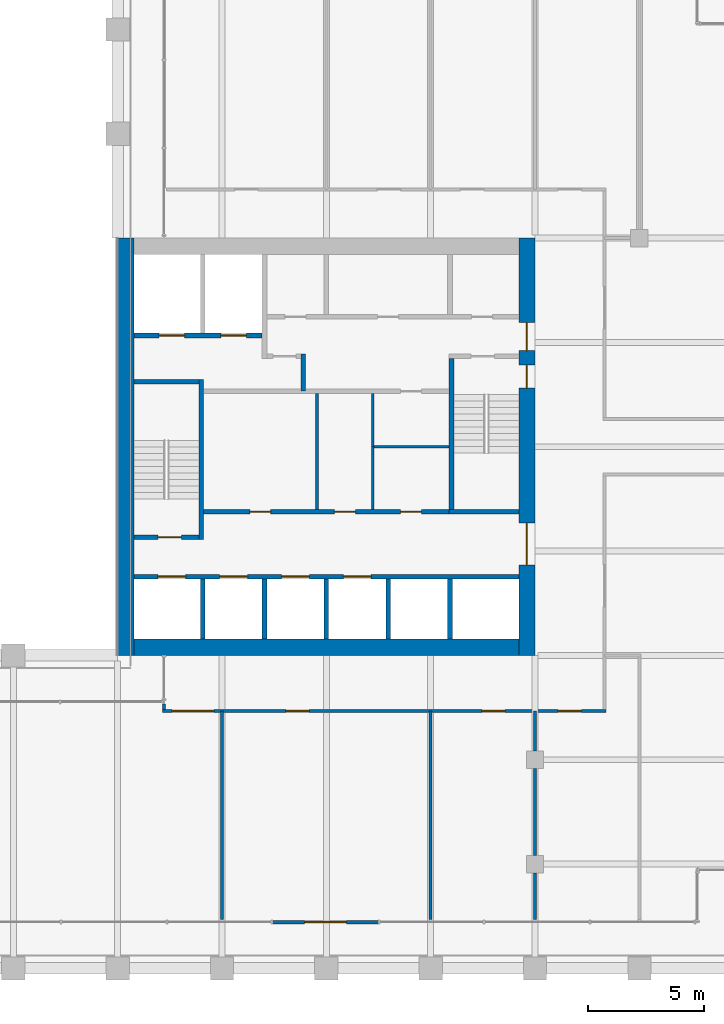
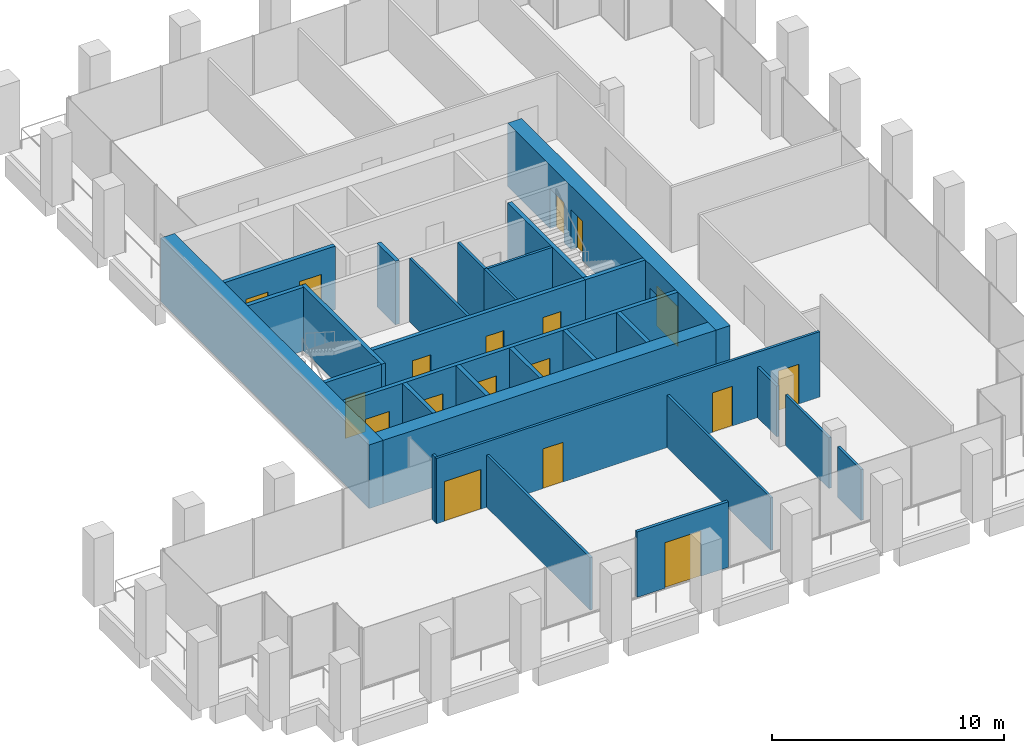
# One storey, part 41 of 46: 29 walls, 18 doors, 18 openings.
"""IFC4 building model written with IfcOpenShell, lengths in metres."""

from ifc_helpers import new_model, si_unit, direction, frame, frame_2d, origin, place, context, subcontext, project, spatial, rectangle, extrude, material, layer, layer_set, type_object, element, fill, save


model = new_model("IFC4")

# Units and contexts
model_context = context("Model", 3, precision=1e-05, world=origin(), true_north=direction((0.0, 1.0)))
body_context = subcontext(model_context, "Body", "Model", "MODEL_VIEW")
ifc_project = project(units=[si_unit("LENGTHUNIT", "METRE"), si_unit("AREAUNIT", "SQUARE_METRE"), si_unit("VOLUMEUNIT", "CUBIC_METRE"), si_unit("PLANEANGLEUNIT", "RADIAN"), si_unit("MASSUNIT", "GRAM", prefix="KILO")], contexts=[model_context])

# Site, building, storey
site_placement = place(None, origin())
site = spatial("IfcSite", under=ifc_project, at=site_placement, CompositionType="ELEMENT")
building_placement = place(site_placement, origin())
building = spatial("IfcBuilding", under=site, at=building_placement, Name="Altepetl Exchange Towers", CompositionType="ELEMENT")
storey_placement = place(building_placement, frame((0.0, 0.0, 128.0)))
storey = spatial("IfcBuildingStorey", under=building, at=storey_placement, Name="L31", CompositionType="ELEMENT", Elevation=128.0)

# Wall, openings, doors
ifc_material_1 = material(Name="Concrete C70/85", Category="concrete")
ifc_layer_1 = layer(ifc_material_1, 0.699951171875)
ifc_layer_set_1 = layer_set([ifc_layer_1], Name="Concrete C70/85")
wall_type_1 = type_object("IfcWallType", Name="Core wall 700 reinforced concrete", PredefinedType="SHEAR", material=ifc_layer_set_1)
wall_1_placement = place(storey_placement, frame((58.14990234375, 40.5, 0.0), z_axis=(0.0, 0.0, 1.0), x_axis=(0.0, 1.0, 0.0)))
wall_1 = element("IfcWall", 1, at=wall_1_placement, inside=storey, type_object=wall_type_1, Name="wall:A:L31:K-coreE", PredefinedType="SHEAR", context=body_context, shape_type="SweptSolid", body=[
    extrude(rectangle(XDim=18.0, YDim=0.699951171875, at=frame_2d((9.0, 0.0))), origin(), (0.0, 0.0, 1.0), 3.35009765625),
])
opening_1_placement = place(wall_1_placement, frame((13.14990234375, 0.0, 0.0)))
opening_1 = element("IfcOpeningElement", 2, at=opening_1_placement, cuts=wall_1, Name="Opening L31.A60", PredefinedType="OPENING", context=body_context, shape_type="SweptSolid", body=[
    extrude(rectangle(XDim=1.199951171875, YDim=2.10009765625, at=frame_2d((0.60009765625, 1.050048828125))), frame((0.0, 0.35986328125, 0.0), z_axis=(0.0, -1.0, 0.0), x_axis=(1.0, 0.0, 0.0)), (0.0, 0.0, 1.0), 0.719970703125),
])
opening_2_placement = place(wall_1_placement, frame((3.89990234375, 0.0, 0.0)))
opening_2 = element("IfcOpeningElement", 3, at=opening_2_placement, cuts=wall_1, Name="Opening L31.A61", PredefinedType="OPENING", context=body_context, shape_type="SweptSolid", body=[
    extrude(rectangle(XDim=1.800048828125, YDim=2.10009765625, at=frame_2d((0.89990234375, 1.050048828125))), frame((0.0, 0.35986328125, 0.0), z_axis=(0.0, -1.0, 0.0), x_axis=(1.0, 0.0, 0.0)), (0.0, 0.0, 1.0), 0.719970703125),
])
opening_3_placement = place(wall_1_placement, frame((11.52490234375, 0.0, 0.0)))
opening_3 = element("IfcOpeningElement", 4, at=opening_3_placement, cuts=wall_1, Name="Opening L31.A64", PredefinedType="OPENING", context=body_context, shape_type="SweptSolid", body=[
    extrude(rectangle(XDim=1.0, YDim=2.10009765625, at=frame_2d((0.5, 1.050048828125))), frame((0.0, 0.35986328125, 0.0), z_axis=(0.0, -1.0, 0.0), x_axis=(1.0, 0.0, 0.0)), (0.0, 0.0, 1.0), 0.719970703125),
])
ifc_material_2 = material(Name="Steel and timber fire door", Category="steel")
door_type_1 = type_object("IfcDoorType", Name="Fire door 1000 x 2100 stair and lobby", OperationType="SINGLE_SWING_LEFT", PredefinedType="DOOR", material=ifc_material_2)
door_1_placement = place(opening_3_placement, origin())
door_1 = element("IfcDoor", 5, at=door_1_placement, inside=storey, type_object=door_type_1, Name="door:A:L31:K-dS2x", OperationType="SINGLE_SWING_RIGHT", OverallHeight=2.10009765625, OverallWidth=1.0, PredefinedType="DOOR", context=body_context, shape_type="SweptSolid", body=[
    extrude(rectangle(XDim=1.0, YDim=2.10009765625, at=frame_2d((0.5, 1.050048828125))), frame((0.0, 0.02490234375, 0.0), z_axis=(0.0, -1.0, 0.0), x_axis=(1.0, 0.0, 0.0)), (0.0, 0.0, 1.0), 0.050048828125),
])
fill(opening_3, door_1)
door_type_2 = type_object("IfcDoorType", Name="Fire door 1200 x 2100 lobby entry", OperationType="SINGLE_SWING_LEFT", PredefinedType="DOOR", material=ifc_material_2)
door_2_placement = place(opening_1_placement, origin())
door_2 = element("IfcDoor", 6, at=door_2_placement, inside=storey, type_object=door_type_2, Name="door:A:L31:K-dLNE", OperationType="SINGLE_SWING_RIGHT", OverallHeight=2.10009765625, OverallWidth=1.199951171875, PredefinedType="DOOR", context=body_context, shape_type="SweptSolid", body=[
    extrude(rectangle(XDim=1.199951171875, YDim=2.10009765625, at=frame_2d((0.60009765625, 1.050048828125))), frame((0.0, 0.02490234375, 0.0), z_axis=(0.0, -1.0, 0.0), x_axis=(1.0, 0.0, 0.0)), (0.0, 0.0, 1.0), 0.050048828125),
])
fill(opening_1, door_2)
door_type_3 = type_object("IfcDoorType", Name="Fire door 1800 x 2100 lobby entry", OperationType="DOUBLE_DOOR_SINGLE_SWING", PredefinedType="DOOR", material=ifc_material_2)
door_3_placement = place(opening_2_placement, origin())
door_3 = element("IfcDoor", 7, at=door_3_placement, inside=storey, type_object=door_type_3, Name="door:A:L31:K-dLSE", OperationType="DOUBLE_DOOR_SINGLE_SWING", OverallHeight=2.10009765625, OverallWidth=1.800048828125, PredefinedType="DOOR", context=body_context, shape_type="SweptSolid", body=[
    extrude(rectangle(XDim=1.800048828125, YDim=2.10009765625, at=frame_2d((0.89990234375, 1.050048828125))), frame((0.0, 0.02490234375, 0.0), z_axis=(0.0, -1.0, 0.0), x_axis=(1.0, 0.0, 0.0)), (0.0, 0.0, 1.0), 0.050048828125),
])
fill(opening_2, door_3)

# Walls
wall_2_placement = place(storey_placement, frame((41.199951171875, 40.85009765625, 0.0)))
element("IfcWall", 8, at=wall_2_placement, inside=storey, type_object=wall_type_1, Name="wall:A:L31:K-coreS", PredefinedType="SHEAR", context=body_context, shape_type="SweptSolid", body=[
    extrude(rectangle(XDim=16.60009765625, YDim=0.699951171875, at=frame_2d((8.300048828125, 0.0))), origin(), (0.0, 0.0, 1.0), 3.35009765625),
])
ifc_layer_2 = layer(ifc_material_1, 0.699951171875)
ifc_layer_set_2 = layer_set([ifc_layer_2], Name="Concrete C70/85")
wall_type_2 = type_object("IfcWallType", Name="Core wall 700 reinforced concrete external", PredefinedType="SHEAR", material=ifc_layer_set_2)
wall_3_placement = place(storey_placement, frame((40.85009765625, 40.5, 0.0), z_axis=(0.0, 0.0, 1.0), x_axis=(0.0, 1.0, 0.0)))
element("IfcWall", 9, at=wall_3_placement, inside=storey, type_object=wall_type_2, Name="wall:A:L31:K-coreW", PredefinedType="SHEAR", context=body_context, shape_type="SweptSolid", body=[
    extrude(rectangle(XDim=18.0, YDim=0.699951171875, at=frame_2d((9.0, 0.0))), origin(), (0.0, 0.0, 1.0), 3.35009765625),
])

# Wall, opening, door
ifc_material_3 = material(Name="Aluminium composite cladding", Category="aluminium")
ifc_layer_3 = layer(ifc_material_3, 0.14990234375)
ifc_layer_set_3 = layer_set([ifc_layer_3], Name="Aluminium composite cladding")
wall_type_3 = type_object("IfcWallType", Name="Infill wall 150 aluminium panel", PredefinedType="SOLIDWALL", material=ifc_layer_set_3)
wall_4_placement = place(storey_placement, frame((47.18212890625, 29.0, 0.0)))
wall_4 = element("IfcWall", 10, at=wall_4_placement, inside=storey, type_object=wall_type_3, Name="Loggia door bay wall", PredefinedType="SOLIDWALL", context=body_context, shape_type="SweptSolid", body=[
    extrude(rectangle(XDim=4.560791015625, YDim=0.14990234375, at=frame_2d((2.2802734375, 0.0))), origin(), (0.0, 0.0, 1.0), 3.449951171875),
])
opening_4_placement = place(wall_4_placement, frame((1.38037109375, 0.0, 0.0)))
opening_4 = element("IfcOpeningElement", 11, at=opening_4_placement, cuts=wall_4, Name="Opening L31.A90", PredefinedType="OPENING", context=body_context, shape_type="SweptSolid", body=[
    extrude(rectangle(XDim=1.800048828125, YDim=2.39990234375, at=frame_2d((0.89990234375, 1.199951171875))), frame((0.0, 0.0849609375, 0.0), z_axis=(0.0, -1.0, 0.0), x_axis=(1.0, 0.0, 0.0)), (0.0, 0.0, 1.0), 0.169921875),
])
ifc_material_4 = material(Name="Aluminium 6063-T6 and glass", Category="aluminium")
door_type_4 = type_object("IfcDoorType", Name="Glazed door pair 1800x2400", OperationType="DOUBLE_DOOR_DOUBLE_SWING", PredefinedType="NOTDEFINED", material=ifc_material_4)
door_4_placement = place(opening_4_placement, frame((1.800048828125, 0.0, 0.0), x_axis=(-1.0, 0.0, 0.0)))
door_4 = element("IfcDoor", 12, at=door_4_placement, inside=storey, type_object=door_type_4, Name="Loggia door", OperationType="DOUBLE_DOOR_DOUBLE_SWING", OverallHeight=2.39990234375, OverallWidth=1.800048828125, PredefinedType="NOTDEFINED", context=body_context, shape_type="SweptSolid", body=[
    extrude(rectangle(XDim=1.800048828125, YDim=2.39990234375, at=frame_2d((0.89990234375, 1.199951171875))), frame((0.0, 0.02490234375, 0.0), z_axis=(0.0, -1.0, 0.0), x_axis=(1.0, 0.0, 0.0)), (0.0, 0.0, 1.0), 0.050048828125),
])
fill(opening_4, door_4)

# Wall
ifc_material_5 = material(Name="Concrete blockwork", Category="masonry")
ifc_layer_4 = layer(ifc_material_5, 0.199951171875)
ifc_layer_set_4 = layer_set([ifc_layer_4], Name="Concrete blockwork")
wall_type_4 = type_object("IfcWallType", Name="Lobby wall 200 blockwork", PredefinedType="PARTITIONING", material=ifc_layer_set_4)
wall_5_placement = place(storey_placement, frame((48.5, 51.89990234375, 0.0), z_axis=(0.0, 0.0, 1.0), x_axis=(0.0, 1.0, 0.0)))
element("IfcWall", 13, at=wall_5_placement, inside=storey, type_object=wall_type_4, Name="wall:A:L31:K-ffE", PredefinedType="PARTITIONING", context=body_context, shape_type="SweptSolid", body=[
    extrude(rectangle(XDim=1.60009765625, YDim=0.199951171875, at=frame_2d((0.800048828125, 0.0))), origin(), (0.0, 0.0, 1.0), 3.35009765625),
])

# Wall, openings, doors
wall_6_placement = place(storey_placement, frame((44.199951171875, 46.699951171875, 0.0)))
wall_6 = element("IfcWall", 14, at=wall_6_placement, inside=storey, type_object=wall_type_4, Name="wall:A:L31:K-zoneS", PredefinedType="PARTITIONING", context=body_context, shape_type="SweptSolid", body=[
    extrude(rectangle(XDim=10.60009765625, YDim=0.199951171875, at=frame_2d((5.300048828125, 0.0))), origin(), (0.0, 0.0, 1.0), 3.35009765625),
])
opening_5_placement = place(wall_6_placement, frame((2.0, 0.0, 0.0)))
opening_5 = element("IfcOpeningElement", 15, at=opening_5_placement, cuts=wall_6, Name="Opening L31.A69", PredefinedType="OPENING", context=body_context, shape_type="SweptSolid", body=[
    extrude(rectangle(XDim=0.89990234375, YDim=2.10009765625, at=frame_2d((0.449951171875, 1.050048828125))), frame((0.0, 0.10986328125, 0.0), z_axis=(0.0, -1.0, 0.0), x_axis=(1.0, 0.0, 0.0)), (0.0, 0.0, 1.0), 0.219970703125),
])
opening_6_placement = place(wall_6_placement, frame((5.64990234375, 0.0, 0.0)))
opening_6 = element("IfcOpeningElement", 16, at=opening_6_placement, cuts=wall_6, Name="Opening L31.A70", PredefinedType="OPENING", context=body_context, shape_type="SweptSolid", body=[
    extrude(rectangle(XDim=0.89990234375, YDim=2.10009765625, at=frame_2d((0.449951171875, 1.050048828125))), frame((0.0, 0.10986328125, 0.0), z_axis=(0.0, -1.0, 0.0), x_axis=(1.0, 0.0, 0.0)), (0.0, 0.0, 1.0), 0.219970703125),
])
opening_7_placement = place(wall_6_placement, frame((8.5, 0.0, 0.0)))
opening_7 = element("IfcOpeningElement", 17, at=opening_7_placement, cuts=wall_6, Name="Opening L31.A72", PredefinedType="OPENING", context=body_context, shape_type="SweptSolid", body=[
    extrude(rectangle(XDim=0.89990234375, YDim=2.10009765625, at=frame_2d((0.449951171875, 1.050048828125))), frame((0.0, 0.10986328125, 0.0), z_axis=(0.0, -1.0, 0.0), x_axis=(1.0, 0.0, 0.0)), (0.0, 0.0, 1.0), 0.219970703125),
])
door_type_5 = type_object("IfcDoorType", Name="Fire door 900 x 2100 service room", OperationType="SINGLE_SWING_LEFT", PredefinedType="DOOR", material=ifc_material_2)
door_5_placement = place(opening_5_placement, origin())
door_5 = element("IfcDoor", 18, at=door_5_placement, inside=storey, type_object=door_type_5, Name="door:A:L31:K-dz1", OperationType="SINGLE_SWING_LEFT", OverallHeight=2.10009765625, OverallWidth=0.89990234375, PredefinedType="DOOR", context=body_context, shape_type="SweptSolid", body=[
    extrude(rectangle(XDim=0.89990234375, YDim=2.10009765625, at=frame_2d((0.449951171875, 1.050048828125))), frame((0.0, 0.02490234375, 0.0), z_axis=(0.0, -1.0, 0.0), x_axis=(1.0, 0.0, 0.0)), (0.0, 0.0, 1.0), 0.050048828125),
])
fill(opening_5, door_5)
door_6_placement = place(opening_6_placement, origin())
door_6 = element("IfcDoor", 19, at=door_6_placement, inside=storey, type_object=door_type_5, Name="door:A:L31:K-dz2", OperationType="SINGLE_SWING_RIGHT", OverallHeight=2.10009765625, OverallWidth=0.89990234375, PredefinedType="DOOR", context=body_context, shape_type="SweptSolid", body=[
    extrude(rectangle(XDim=0.89990234375, YDim=2.10009765625, at=frame_2d((0.449951171875, 1.050048828125))), frame((0.0, 0.02490234375, 0.0), z_axis=(0.0, -1.0, 0.0), x_axis=(1.0, 0.0, 0.0)), (0.0, 0.0, 1.0), 0.050048828125),
])
fill(opening_6, door_6)
door_7_placement = place(opening_7_placement, origin())
door_7 = element("IfcDoor", 20, at=door_7_placement, inside=storey, type_object=door_type_5, Name="door:A:L31:K-dz4", OperationType="SINGLE_SWING_RIGHT", OverallHeight=2.10009765625, OverallWidth=0.89990234375, PredefinedType="DOOR", context=body_context, shape_type="SweptSolid", body=[
    extrude(rectangle(XDim=0.89990234375, YDim=2.10009765625, at=frame_2d((0.449951171875, 1.050048828125))), frame((0.0, 0.02490234375, 0.0), z_axis=(0.0, -1.0, 0.0), x_axis=(1.0, 0.0, 0.0)), (0.0, 0.0, 1.0), 0.050048828125),
])
fill(opening_7, door_7)

# Walls
ifc_material_6 = material(Name="Gypsum board on steel studs", Category="steel")
ifc_layer_5 = layer(ifc_material_6, 0.125)
ifc_layer_set_5 = layer_set([ifc_layer_5], Name="Gypsum board on steel studs")
wall_type_5 = type_object("IfcWallType", Name="Partition 125 gypsum board on steel studs", PredefinedType="PARTITIONING", material=ifc_layer_set_5)
wall_7_placement = place(storey_placement, frame((49.10009765625, 46.800048828125, 0.0), z_axis=(0.0, 0.0, 1.0), x_axis=(0.0, 1.0, 0.0)))
element("IfcWall", 21, at=wall_7_placement, inside=storey, type_object=wall_type_5, Name="wall:A:L31:K-zp1", PredefinedType="PARTITIONING", context=body_context, shape_type="SweptSolid", body=[
    extrude(rectangle(XDim=5.0, YDim=0.125, at=frame_2d((2.5, 0.0))), origin(), (0.0, 0.0, 1.0), 3.35009765625),
])
wall_8_placement = place(storey_placement, frame((51.5, 46.800048828125, 0.0), z_axis=(0.0, 0.0, 1.0), x_axis=(0.0, 1.0, 0.0)))
element("IfcWall", 22, at=wall_8_placement, inside=storey, type_object=wall_type_5, Name="wall:A:L31:K-zp2", PredefinedType="PARTITIONING", context=body_context, shape_type="SweptSolid", body=[
    extrude(rectangle(XDim=2.762451171875, YDim=0.125, at=frame_2d((1.38134765625, 0.0))), origin(), (0.0, 0.0, 1.0), 3.35009765625),
])
wall_9_placement = place(storey_placement, frame((51.5625, 49.5, 0.0)))
element("IfcWall", 23, at=wall_9_placement, inside=storey, type_object=wall_type_5, Name="wall:A:L31:K-zp3", PredefinedType="PARTITIONING", context=body_context, shape_type="SweptSolid", body=[
    extrude(rectangle(XDim=3.237548828125, YDim=0.125, at=frame_2d((1.61865234375, 0.0))), origin(), (0.0, 0.0, 1.0), 3.35009765625),
])
wall_10_placement = place(storey_placement, frame((51.5, 49.5, 0.0), z_axis=(0.0, 0.0, 1.0), x_axis=(0.0, 1.0, 0.0)))
element("IfcWall", 24, at=wall_10_placement, inside=storey, type_object=wall_type_5, Name="wall:A:L31:K-zp4", PredefinedType="PARTITIONING", context=body_context, shape_type="SweptSolid", body=[
    extrude(rectangle(XDim=2.300048828125, YDim=0.125, at=frame_2d((1.14990234375, 0.0))), origin(), (0.0, 0.0, 1.0), 3.35009765625),
])

# Wall, openings, doors
wall_11_placement = place(storey_placement, frame((42.4375, 38.10009765625, 0.0)))
wall_11 = element("IfcWall", 25, at=wall_11_placement, inside=storey, type_object=wall_type_5, Name="wall:A:L31:P01", PredefinedType="PARTITIONING", context=body_context, shape_type="SweptSolid", body=[
    extrude(rectangle(XDim=19.125, YDim=0.125, at=frame_2d((9.5625, 0.0))), origin(), (0.0, 0.0, 1.0), 3.449951171875),
])
opening_8_placement = place(wall_11_placement, frame((0.41259765625, 0.0, 0.0)))
opening_8 = element("IfcOpeningElement", 26, at=opening_8_placement, cuts=wall_11, Name="Opening L31.A01", PredefinedType="OPENING", context=body_context, shape_type="SweptSolid", body=[
    extrude(rectangle(XDim=1.800048828125, YDim=2.10009765625, at=frame_2d((0.89990234375, 1.050048828125))), frame((0.0, 0.072509765625, 0.0), z_axis=(0.0, -1.0, 0.0), x_axis=(1.0, 0.0, 0.0)), (0.0, 0.0, 1.0), 0.14501953125),
])
opening_9_placement = place(wall_11_placement, frame((5.320556640625, 0.0, 0.0)))
opening_9 = element("IfcOpeningElement", 27, at=opening_9_placement, cuts=wall_11, Name="Opening L31.A02", PredefinedType="OPENING", context=body_context, shape_type="SweptSolid", body=[
    extrude(rectangle(XDim=1.0, YDim=2.10009765625, at=frame_2d((0.5, 1.050048828125))), frame((0.0, 0.072509765625, 0.0), z_axis=(0.0, -1.0, 0.0), x_axis=(1.0, 0.0, 0.0)), (0.0, 0.0, 1.0), 0.14501953125),
])
opening_10_placement = place(wall_11_placement, frame((13.767578125, 0.0, 0.0)))
opening_10 = element("IfcOpeningElement", 28, at=opening_10_placement, cuts=wall_11, Name="Opening L31.A03", PredefinedType="OPENING", context=body_context, shape_type="SweptSolid", body=[
    extrude(rectangle(XDim=1.0, YDim=2.10009765625, at=frame_2d((0.5, 1.050048828125))), frame((0.0, 0.072509765625, 0.0), z_axis=(0.0, -1.0, 0.0), x_axis=(1.0, 0.0, 0.0)), (0.0, 0.0, 1.0), 0.14501953125),
])
opening_11_placement = place(wall_11_placement, frame((17.0625, 0.0, 0.0)))
opening_11 = element("IfcOpeningElement", 29, at=opening_11_placement, cuts=wall_11, Name="Opening L31.A04", PredefinedType="OPENING", context=body_context, shape_type="SweptSolid", body=[
    extrude(rectangle(XDim=1.0, YDim=2.10009765625, at=frame_2d((0.5, 1.050048828125))), frame((0.0, 0.072509765625, 0.0), z_axis=(0.0, -1.0, 0.0), x_axis=(1.0, 0.0, 0.0)), (0.0, 0.0, 1.0), 0.14501953125),
])
door_type_6 = type_object("IfcDoorType", Name="Fire door 1000 x 2100 single leaf", OperationType="SINGLE_SWING_LEFT", PredefinedType="DOOR", material=ifc_material_2)
door_8_placement = place(opening_9_placement, frame((1.0, 0.0, 0.0), x_axis=(-1.0, 0.0, 0.0)))
door_8 = element("IfcDoor", 30, at=door_8_placement, inside=storey, type_object=door_type_6, Name="door:A:L31:02", OperationType="SINGLE_SWING_RIGHT", OverallHeight=2.10009765625, OverallWidth=1.0, PredefinedType="DOOR", context=body_context, shape_type="SweptSolid", body=[
    extrude(rectangle(XDim=1.0, YDim=2.10009765625, at=frame_2d((0.5, 1.050048828125))), frame((0.0, 0.02490234375, 0.0), z_axis=(0.0, -1.0, 0.0), x_axis=(1.0, 0.0, 0.0)), (0.0, 0.0, 1.0), 0.050048828125),
])
fill(opening_9, door_8)
door_9_placement = place(opening_10_placement, frame((1.0, 0.0, 0.0), x_axis=(-1.0, 0.0, 0.0)))
door_9 = element("IfcDoor", 31, at=door_9_placement, inside=storey, type_object=door_type_6, Name="door:A:L31:03", OperationType="SINGLE_SWING_LEFT", OverallHeight=2.10009765625, OverallWidth=1.0, PredefinedType="DOOR", context=body_context, shape_type="SweptSolid", body=[
    extrude(rectangle(XDim=1.0, YDim=2.10009765625, at=frame_2d((0.5, 1.050048828125))), frame((0.0, 0.02490234375, 0.0), z_axis=(0.0, -1.0, 0.0), x_axis=(1.0, 0.0, 0.0)), (0.0, 0.0, 1.0), 0.050048828125),
])
fill(opening_10, door_9)
door_10_placement = place(opening_11_placement, frame((1.0, 0.0, 0.0), x_axis=(-1.0, 0.0, 0.0)))
door_10 = element("IfcDoor", 32, at=door_10_placement, inside=storey, type_object=door_type_6, Name="door:A:L31:04", OperationType="SINGLE_SWING_RIGHT", OverallHeight=2.10009765625, OverallWidth=1.0, PredefinedType="DOOR", context=body_context, shape_type="SweptSolid", body=[
    extrude(rectangle(XDim=1.0, YDim=2.10009765625, at=frame_2d((0.5, 1.050048828125))), frame((0.0, 0.02490234375, 0.0), z_axis=(0.0, -1.0, 0.0), x_axis=(1.0, 0.0, 0.0)), (0.0, 0.0, 1.0), 0.050048828125),
])
fill(opening_11, door_10)
door_type_7 = type_object("IfcDoorType", Name="Fire door 1800 x 2100 double leaf", OperationType="DOUBLE_DOOR_SINGLE_SWING", PredefinedType="DOOR", material=ifc_material_2)
door_11_placement = place(opening_8_placement, frame((1.800048828125, 0.0, 0.0), x_axis=(-1.0, 0.0, 0.0)))
door_11 = element("IfcDoor", 33, at=door_11_placement, inside=storey, type_object=door_type_7, Name="door:A:L31:01", OperationType="DOUBLE_DOOR_SINGLE_SWING", OverallHeight=2.10009765625, OverallWidth=1.800048828125, PredefinedType="DOOR", context=body_context, shape_type="SweptSolid", body=[
    extrude(rectangle(XDim=1.800048828125, YDim=2.10009765625, at=frame_2d((0.89990234375, 1.050048828125))), frame((0.0, 0.02490234375, 0.0), z_axis=(0.0, -1.0, 0.0), x_axis=(1.0, 0.0, 0.0)), (0.0, 0.0, 1.0), 0.050048828125),
])
fill(opening_8, door_11)

# Walls
wall_12_placement = place(storey_placement, frame((42.5, 38.16259765625, 0.0), z_axis=(0.0, 0.0, 1.0), x_axis=(0.0, 1.0, 0.0)))
element("IfcWall", 34, at=wall_12_placement, inside=storey, type_object=wall_type_5, Name="wall:A:L31:P07", PredefinedType="PARTITIONING", context=body_context, shape_type="SweptSolid", body=[
    extrude(rectangle(XDim=0.2373046875, YDim=0.125, at=frame_2d((0.11865234375, 0.0))), origin(), (0.0, 0.0, 1.0), 3.449951171875),
])
for number, where, z_axis, x_axis, name in (
    (35, (45.0, 29.10009765625, 0.0), (0.0, 0.0, 1.0), (0.0, 1.0, 0.0), "wall:A:L31:P08"),
    (36, (54.0, 29.10009765625, 0.0), (0.0, 0.0, 1.0), (0.0, 1.0, 0.0), "wall:A:L31:P10"),
):
    element("IfcWall", number, at=place(storey_placement, frame(where, z_axis=z_axis, x_axis=x_axis)), inside=storey, type_object=wall_type_5, Name=name, PredefinedType="PARTITIONING", context=body_context, shape_type="SweptSolid", body=[
        extrude(rectangle(XDim=9.0, YDim=0.125, at=frame_2d((4.5, 0.0))), origin(), (0.0, 0.0, 1.0), 2.76611328125),
    ])
wall_13_placement = place(storey_placement, frame((58.5, 29.10009765625, 0.0), z_axis=(0.0, 0.0, 1.0), x_axis=(0.0, 1.0, 0.0)))
element("IfcWall", 37, at=wall_13_placement, inside=storey, type_object=wall_type_5, Name="wall:A:L31:P12", PredefinedType="PARTITIONING", context=body_context, shape_type="SweptSolid", body=[
    extrude(rectangle(XDim=2.02490234375, YDim=0.125, at=frame_2d((1.012451171875, 0.0))), origin(), (0.0, 0.0, 1.0), 2.676025390625),
])
wall_14_placement = place(storey_placement, frame((58.5, 31.875, 0.0), z_axis=(0.0, 0.0, 1.0), x_axis=(0.0, 1.0, 0.0)))
element("IfcWall", 38, at=wall_14_placement, inside=storey, type_object=wall_type_5, Name="wall:A:L31:P13", PredefinedType="PARTITIONING", context=body_context, shape_type="SweptSolid", body=[
    extrude(rectangle(XDim=3.75, YDim=0.125, at=frame_2d((1.875, 0.0))), origin(), (0.0, 0.0, 1.0), 2.676025390625),
])
wall_15_placement = place(storey_placement, frame((58.5, 36.375, 0.0), z_axis=(0.0, 0.0, 1.0), x_axis=(0.0, 1.0, 0.0)))
element("IfcWall", 39, at=wall_15_placement, inside=storey, type_object=wall_type_5, Name="wall:A:L31:P14", PredefinedType="PARTITIONING", context=body_context, shape_type="SweptSolid", body=[
    extrude(rectangle(XDim=1.72509765625, YDim=0.125, at=frame_2d((0.862548828125, 0.0))), origin(), (0.0, 0.0, 1.0), 2.676025390625),
])
ifc_material_7 = material(Name="Concrete C40/50", Category="concrete")
ifc_layer_6 = layer(ifc_material_7, 0.199951171875)
ifc_layer_set_6 = layer_set([ifc_layer_6], Name="Concrete C40/50")
wall_type_6 = type_object("IfcWallType", Name="Shaft wall 200 reinforced concrete", PredefinedType="SHEAR", material=ifc_layer_set_6)
for number, where, z_axis, x_axis, name in (
    (40, (44.166748046875, 41.199951171875, 0.0), (0.0, 0.0, 1.0), (0.0, 1.0, 0.0), "wall:A:L31:K-divS1"),
    (41, (46.833251953125, 41.199951171875, 0.0), (0.0, 0.0, 1.0), (0.0, 1.0, 0.0), "wall:A:L31:K-divS2"),
    (42, (49.5, 41.199951171875, 0.0), (0.0, 0.0, 1.0), (0.0, 1.0, 0.0), "wall:A:L31:K-divS3"),
    (43, (52.166748046875, 41.199951171875, 0.0), (0.0, 0.0, 1.0), (0.0, 1.0, 0.0), "wall:A:L31:K-divS4"),
    (44, (54.833251953125, 41.199951171875, 0.0), (0.0, 0.0, 1.0), (0.0, 1.0, 0.0), "wall:A:L31:K-divS5"),
):
    element("IfcWall", number, at=place(storey_placement, frame(where, z_axis=z_axis, x_axis=x_axis)), inside=storey, type_object=wall_type_6, Name=name, PredefinedType="SHEAR", context=body_context, shape_type="SweptSolid", body=[
        extrude(rectangle(XDim=2.60009765625, YDim=0.199951171875, at=frame_2d((1.300048828125, 0.0))), origin(), (0.0, 0.0, 1.0), 3.35009765625),
    ])

# Wall, openings, doors
wall_16_placement = place(storey_placement, frame((41.199951171875, 54.300048828125, 0.0)))
wall_16 = element("IfcWall", 45, at=wall_16_placement, inside=storey, type_object=wall_type_6, Name="wall:A:L31:K-frontNd", PredefinedType="SHEAR", context=body_context, shape_type="SweptSolid", body=[
    extrude(rectangle(XDim=5.533447265625, YDim=0.199951171875, at=frame_2d((2.7666015625, 0.0))), origin(), (0.0, 0.0, 1.0), 3.35009765625),
])
opening_12_placement = place(wall_16_placement, frame((1.083251953125, 0.0, 0.0)))
opening_12 = element("IfcOpeningElement", 46, at=opening_12_placement, cuts=wall_16, Name="Opening L31.A73", PredefinedType="OPENING", context=body_context, shape_type="SweptSolid", body=[
    extrude(rectangle(XDim=1.10009765625, YDim=2.10009765625, at=frame_2d((0.550048828125, 1.050048828125))), frame((0.0, 0.10986328125, 0.0), z_axis=(0.0, -1.0, 0.0), x_axis=(1.0, 0.0, 0.0)), (0.0, 0.0, 1.0), 0.219970703125),
])
opening_13_placement = place(wall_16_placement, frame((3.75, 0.0, 0.0)))
opening_13 = element("IfcOpeningElement", 47, at=opening_13_placement, cuts=wall_16, Name="Opening L31.A74", PredefinedType="OPENING", context=body_context, shape_type="SweptSolid", body=[
    extrude(rectangle(XDim=1.10009765625, YDim=2.10009765625, at=frame_2d((0.550048828125, 1.050048828125))), frame((0.0, 0.10986328125, 0.0), z_axis=(0.0, -1.0, 0.0), x_axis=(1.0, 0.0, 0.0)), (0.0, 0.0, 1.0), 0.219970703125),
])
ifc_material_8 = material(Name="Stainless steel", Category="steel")
door_type_8 = type_object("IfcDoorType", Name="Lift landing door 1100 x 2100", OperationType="SLIDING_TO_LEFT", PredefinedType="DOOR", material=ifc_material_8)
door_12_placement = place(opening_12_placement, origin())
door_12 = element("IfcDoor", 48, at=door_12_placement, inside=storey, type_object=door_type_8, Name="Landing door FFL1", OperationType="SLIDING_TO_LEFT", OverallHeight=2.10009765625, OverallWidth=1.10009765625, PredefinedType="DOOR", context=body_context, shape_type="SweptSolid", body=[
    extrude(rectangle(XDim=1.10009765625, YDim=2.10009765625, at=frame_2d((0.550048828125, 1.050048828125))), frame((0.0, 0.02490234375, 0.0), z_axis=(0.0, -1.0, 0.0), x_axis=(1.0, 0.0, 0.0)), (0.0, 0.0, 1.0), 0.050048828125),
])
fill(opening_12, door_12)
door_13_placement = place(opening_13_placement, origin())
door_13 = element("IfcDoor", 49, at=door_13_placement, inside=storey, type_object=door_type_8, Name="Landing door FFL2", OperationType="SLIDING_TO_LEFT", OverallHeight=2.10009765625, OverallWidth=1.10009765625, PredefinedType="DOOR", context=body_context, shape_type="SweptSolid", body=[
    extrude(rectangle(XDim=1.10009765625, YDim=2.10009765625, at=frame_2d((0.550048828125, 1.050048828125))), frame((0.0, 0.02490234375, 0.0), z_axis=(0.0, -1.0, 0.0), x_axis=(1.0, 0.0, 0.0)), (0.0, 0.0, 1.0), 0.050048828125),
])
fill(opening_13, door_13)

wall_17_placement = place(storey_placement, frame((41.199951171875, 43.89990234375, 0.0)))
wall_17 = element("IfcWall", 50, at=wall_17_placement, inside=storey, type_object=wall_type_6, Name="wall:A:L31:K-frontS", PredefinedType="SHEAR", context=body_context, shape_type="SweptSolid", body=[
    extrude(rectangle(XDim=16.60009765625, YDim=0.199951171875, at=frame_2d((8.300048828125, 0.0))), origin(), (0.0, 0.0, 1.0), 3.35009765625),
])
opening_14_placement = place(wall_17_placement, frame((1.033203125, 0.0, 0.0)))
opening_14 = element("IfcOpeningElement", 51, at=opening_14_placement, cuts=wall_17, Name="Opening L31.A75", PredefinedType="OPENING", context=body_context, shape_type="SweptSolid", body=[
    extrude(rectangle(XDim=1.199951171875, YDim=2.10009765625, at=frame_2d((0.60009765625, 1.050048828125))), frame((0.0, 0.10986328125, 0.0), z_axis=(0.0, -1.0, 0.0), x_axis=(1.0, 0.0, 0.0)), (0.0, 0.0, 1.0), 0.219970703125),
])
opening_15_placement = place(wall_17_placement, frame((3.699951171875, 0.0, 0.0)))
opening_15 = element("IfcOpeningElement", 52, at=opening_15_placement, cuts=wall_17, Name="Opening L31.A76", PredefinedType="OPENING", context=body_context, shape_type="SweptSolid", body=[
    extrude(rectangle(XDim=1.199951171875, YDim=2.10009765625, at=frame_2d((0.60009765625, 1.050048828125))), frame((0.0, 0.10986328125, 0.0), z_axis=(0.0, -1.0, 0.0), x_axis=(1.0, 0.0, 0.0)), (0.0, 0.0, 1.0), 0.219970703125),
])
opening_16_placement = place(wall_17_placement, frame((6.36669921875, 0.0, 0.0)))
opening_16 = element("IfcOpeningElement", 53, at=opening_16_placement, cuts=wall_17, Name="Opening L31.A77", PredefinedType="OPENING", context=body_context, shape_type="SweptSolid", body=[
    extrude(rectangle(XDim=1.199951171875, YDim=2.10009765625, at=frame_2d((0.60009765625, 1.050048828125))), frame((0.0, 0.10986328125, 0.0), z_axis=(0.0, -1.0, 0.0), x_axis=(1.0, 0.0, 0.0)), (0.0, 0.0, 1.0), 0.219970703125),
])
opening_17_placement = place(wall_17_placement, frame((9.033203125, 0.0, 0.0)))
opening_17 = element("IfcOpeningElement", 54, at=opening_17_placement, cuts=wall_17, Name="Opening L31.A78", PredefinedType="OPENING", context=body_context, shape_type="SweptSolid", body=[
    extrude(rectangle(XDim=1.199951171875, YDim=2.10009765625, at=frame_2d((0.60009765625, 1.050048828125))), frame((0.0, 0.10986328125, 0.0), z_axis=(0.0, -1.0, 0.0), x_axis=(1.0, 0.0, 0.0)), (0.0, 0.0, 1.0), 0.219970703125),
])
door_type_9 = type_object("IfcDoorType", Name="Lift landing door 1200 x 2100", OperationType="SLIDING_TO_LEFT", PredefinedType="DOOR", material=ifc_material_8)
door_14_placement = place(opening_14_placement, origin())
door_14 = element("IfcDoor", 55, at=door_14_placement, inside=storey, type_object=door_type_9, Name="Landing door P1", OperationType="SLIDING_TO_LEFT", OverallHeight=2.10009765625, OverallWidth=1.199951171875, PredefinedType="DOOR", context=body_context, shape_type="SweptSolid", body=[
    extrude(rectangle(XDim=1.199951171875, YDim=2.10009765625, at=frame_2d((0.60009765625, 1.050048828125))), frame((0.0, 0.02490234375, 0.0), z_axis=(0.0, -1.0, 0.0), x_axis=(1.0, 0.0, 0.0)), (0.0, 0.0, 1.0), 0.050048828125),
])
fill(opening_14, door_14)
door_15_placement = place(opening_15_placement, origin())
door_15 = element("IfcDoor", 56, at=door_15_placement, inside=storey, type_object=door_type_9, Name="Landing door P2", OperationType="SLIDING_TO_LEFT", OverallHeight=2.10009765625, OverallWidth=1.199951171875, PredefinedType="DOOR", context=body_context, shape_type="SweptSolid", body=[
    extrude(rectangle(XDim=1.199951171875, YDim=2.10009765625, at=frame_2d((0.60009765625, 1.050048828125))), frame((0.0, 0.02490234375, 0.0), z_axis=(0.0, -1.0, 0.0), x_axis=(1.0, 0.0, 0.0)), (0.0, 0.0, 1.0), 0.050048828125),
])
fill(opening_15, door_15)
door_16_placement = place(opening_16_placement, origin())
door_16 = element("IfcDoor", 57, at=door_16_placement, inside=storey, type_object=door_type_9, Name="Landing door P3", OperationType="SLIDING_TO_LEFT", OverallHeight=2.10009765625, OverallWidth=1.199951171875, PredefinedType="DOOR", context=body_context, shape_type="SweptSolid", body=[
    extrude(rectangle(XDim=1.199951171875, YDim=2.10009765625, at=frame_2d((0.60009765625, 1.050048828125))), frame((0.0, 0.02490234375, 0.0), z_axis=(0.0, -1.0, 0.0), x_axis=(1.0, 0.0, 0.0)), (0.0, 0.0, 1.0), 0.050048828125),
])
fill(opening_16, door_16)
door_17_placement = place(opening_17_placement, origin())
door_17 = element("IfcDoor", 58, at=door_17_placement, inside=storey, type_object=door_type_9, Name="Landing door P4", OperationType="SLIDING_TO_LEFT", OverallHeight=2.10009765625, OverallWidth=1.199951171875, PredefinedType="DOOR", context=body_context, shape_type="SweptSolid", body=[
    extrude(rectangle(XDim=1.199951171875, YDim=2.10009765625, at=frame_2d((0.60009765625, 1.050048828125))), frame((0.0, 0.02490234375, 0.0), z_axis=(0.0, -1.0, 0.0), x_axis=(1.0, 0.0, 0.0)), (0.0, 0.0, 1.0), 0.050048828125),
])
fill(opening_17, door_17)

# Walls
ifc_layer_7 = layer(ifc_material_7, 0.199951171875)
ifc_layer_set_7 = layer_set([ifc_layer_7], Name="Concrete C40/50")
wall_type_7 = type_object("IfcWallType", Name="Stair wall 200 reinforced concrete", PredefinedType="SHEAR", material=ifc_layer_set_7)
wall_18_placement = place(storey_placement, frame((44.10009765625, 45.5, 0.0), z_axis=(0.0, 0.0, 1.0), x_axis=(0.0, 1.0, 0.0)))
element("IfcWall", 59, at=wall_18_placement, inside=storey, type_object=wall_type_7, Name="wall:A:L31:K-stS1E", PredefinedType="SHEAR", context=body_context, shape_type="SweptSolid", body=[
    extrude(rectangle(XDim=6.89990234375, YDim=0.199951171875, at=frame_2d((3.449951171875, 0.0))), origin(), (0.0, 0.0, 1.0), 3.35009765625),
])
wall_19_placement = place(storey_placement, frame((41.199951171875, 52.300048828125, 0.0)))
element("IfcWall", 60, at=wall_19_placement, inside=storey, type_object=wall_type_7, Name="wall:A:L31:K-stS1N", PredefinedType="SHEAR", context=body_context, shape_type="SweptSolid", body=[
    extrude(rectangle(XDim=2.800048828125, YDim=0.199951171875, at=frame_2d((1.39990234375, 0.0))), origin(), (0.0, 0.0, 1.0), 3.35009765625),
])

# Wall, opening, door
wall_20_placement = place(storey_placement, frame((41.199951171875, 45.60009765625, 0.0)))
wall_20 = element("IfcWall", 61, at=wall_20_placement, inside=storey, type_object=wall_type_7, Name="wall:A:L31:K-stS1S", PredefinedType="SHEAR", context=body_context, shape_type="SweptSolid", body=[
    extrude(rectangle(XDim=2.800048828125, YDim=0.199951171875, at=frame_2d((1.39990234375, 0.0))), origin(), (0.0, 0.0, 1.0), 3.35009765625),
])
opening_18_placement = place(wall_20_placement, frame((1.050048828125, 0.0, 0.0)))
opening_18 = element("IfcOpeningElement", 62, at=opening_18_placement, cuts=wall_20, Name="Opening L31.A62", PredefinedType="OPENING", context=body_context, shape_type="SweptSolid", body=[
    extrude(rectangle(XDim=1.0, YDim=2.10009765625, at=frame_2d((0.5, 1.050048828125))), frame((0.0, 0.10986328125, 0.0), z_axis=(0.0, -1.0, 0.0), x_axis=(1.0, 0.0, 0.0)), (0.0, 0.0, 1.0), 0.219970703125),
])
door_18_placement = place(opening_18_placement, origin())
door_18 = element("IfcDoor", 63, at=door_18_placement, inside=storey, type_object=door_type_1, Name="door:A:L31:K-dS1in", OperationType="SINGLE_SWING_RIGHT", OverallHeight=2.10009765625, OverallWidth=1.0, PredefinedType="DOOR", context=body_context, shape_type="SweptSolid", body=[
    extrude(rectangle(XDim=1.0, YDim=2.10009765625, at=frame_2d((0.5, 1.050048828125))), frame((0.0, 0.02490234375, 0.0), z_axis=(0.0, -1.0, 0.0), x_axis=(1.0, 0.0, 0.0)), (0.0, 0.0, 1.0), 0.050048828125),
])
fill(opening_18, door_18)

# Walls
wall_21_placement = place(storey_placement, frame((54.800048828125, 46.699951171875, 0.0)))
element("IfcWall", 64, at=wall_21_placement, inside=storey, type_object=wall_type_7, Name="wall:A:L31:K-stS2S", PredefinedType="SHEAR", context=body_context, shape_type="SweptSolid", body=[
    extrude(rectangle(XDim=3.0, YDim=0.199951171875, at=frame_2d((1.5, 0.0))), origin(), (0.0, 0.0, 1.0), 3.35009765625),
])
wall_22_placement = place(storey_placement, frame((54.89990234375, 46.800048828125, 0.0), z_axis=(0.0, 0.0, 1.0), x_axis=(0.0, 1.0, 0.0)))
element("IfcWall", 65, at=wall_22_placement, inside=storey, type_object=wall_type_7, Name="wall:A:L31:K-stS2W", PredefinedType="SHEAR", context=body_context, shape_type="SweptSolid", body=[
    extrude(rectangle(XDim=6.5, YDim=0.199951171875, at=frame_2d((3.25, 0.0))), origin(), (0.0, 0.0, 1.0), 3.35009765625),
])

save(model, "model.ifc")
